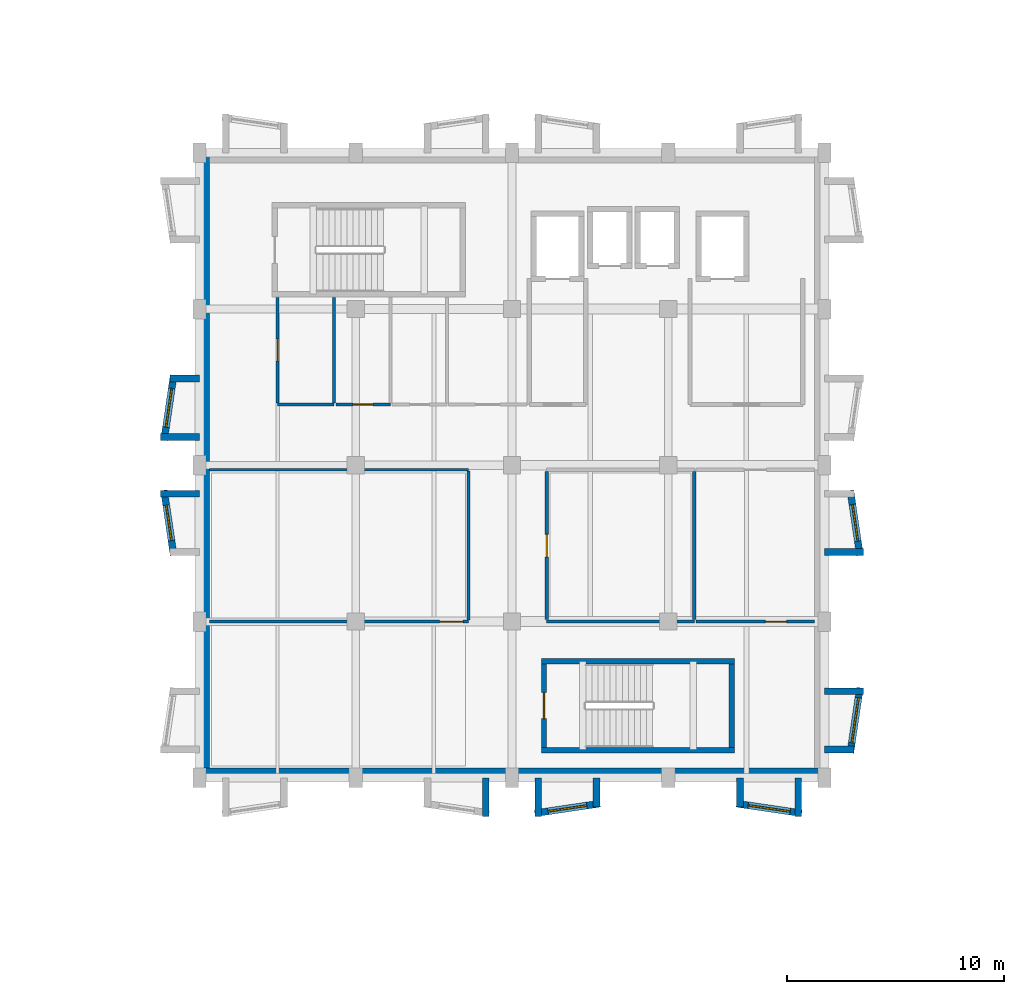
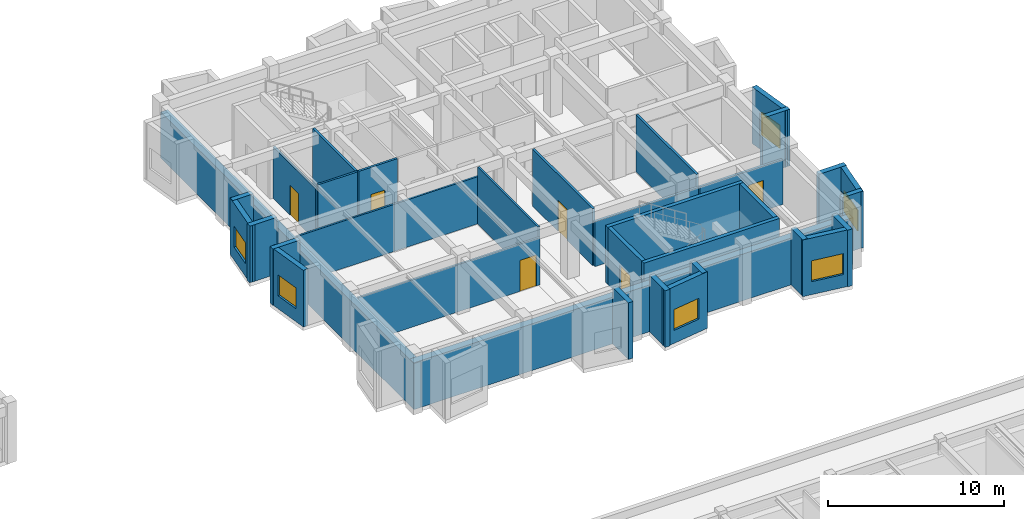
# One storey, part 55 of 67: 34 walls, 6 doors, 6 windows, 12 openings.
"""IFC4 building model written with IfcOpenShell, lengths in metres."""

from ifc_helpers import new_model, si_unit, direction, frame, frame_2d, origin, place, context, subcontext, project, spatial, rectangle, extrude, material, layer, layer_set, type_object, element, fill, save


model = new_model("IFC4")

# Units and contexts
model_context = context("Model", 3, precision=1e-05, world=origin(), true_north=direction((0.0, 1.0)))
body_context = subcontext(model_context, "Body", "Model", "MODEL_VIEW")
ifc_project = project(units=[si_unit("LENGTHUNIT", "METRE"), si_unit("AREAUNIT", "SQUARE_METRE"), si_unit("VOLUMEUNIT", "CUBIC_METRE"), si_unit("PLANEANGLEUNIT", "RADIAN"), si_unit("MASSUNIT", "GRAM", prefix="KILO")], contexts=[model_context])

# Site, building, storey
site_placement = place(None, origin())
site = spatial("IfcSite", under=ifc_project, at=site_placement, CompositionType="ELEMENT")
building_placement = place(site_placement, origin())
building = spatial("IfcBuilding", under=site, at=building_placement, Name="Bramveld Media Centre", CompositionType="ELEMENT")
storey_placement = place(building_placement, frame((0.0, 0.0, 5.39990234375)))
storey = spatial("IfcBuildingStorey", under=building, at=storey_placement, Name="L01", CompositionType="ELEMENT", Elevation=5.39990234375)

# Walls
ifc_material_1 = material(Name="Concrete C40/50 stair & lift core wall", Category="concrete")
ifc_layer_1 = layer(ifc_material_1, 0.25)
ifc_layer_set_1 = layer_set([ifc_layer_1], Name="Concrete C40/50 stair & lift core wall")
wall_type_1 = type_object("IfcWallType", Name="CWALL-SHEAR-250", PredefinedType="SHEAR", material=ifc_layer_set_1)
for number, where, z_axis, x_axis, name in (
    (1, (146.949951171875, 84.47509765625, 0.0), (0.0, 0.0, 1.0), (1.0, 0.0, 0.0), "ST-02 L01 stair core shear wall S"),
    (2, (155.85009765625, 88.574951171875, 0.0), (0.0, 0.0, 1.0), (-1.0, 0.0, 0.0), "ST-02 L01 stair core shear wall N"),
):
    element("IfcWall", number, at=place(storey_placement, frame(where, z_axis=z_axis, x_axis=x_axis)), inside=storey, type_object=wall_type_1, Name=name, PredefinedType="SHEAR", context=body_context, shape_type="SweptSolid", body=[
        extrude(rectangle(XDim=8.900146484375, YDim=0.25, at=frame_2d((4.4501953125, 0.0))), origin(), (0.0, 0.0, 1.0), 3.9501953125),
    ])

# Wall, opening, door
wall_1_placement = place(storey_placement, frame((147.074951171875, 88.449951171875, 0.0), z_axis=(0.0, 0.0, 1.0), x_axis=(0.0, -1.0, 0.0)))
wall_1 = element("IfcWall", 3, at=wall_1_placement, inside=storey, type_object=wall_type_1, Name="ST-02 L01 stair core shear wall W", PredefinedType="SHEAR", context=body_context, shape_type="SweptSolid", body=[
    extrude(rectangle(XDim=3.849853515625, YDim=0.25, at=frame_2d((1.9248046875, 0.0))), origin(), (0.0, 0.0, 1.0), 3.9501953125),
])
opening_1_placement = place(wall_1_placement, frame((1.324951171875, 0.0, 0.0)))
opening_1 = element("IfcOpeningElement", 4, at=opening_1_placement, cuts=wall_1, Name="Opening SD-02-L01", PredefinedType="OPENING", context=body_context, shape_type="SweptSolid", body=[
    extrude(rectangle(XDim=1.199951171875, YDim=2.14990234375, at=frame_2d((0.60009765625, 1.074951171875))), frame((0.0, 0.136962890625, 0.0), z_axis=(0.0, -1.0, 0.0), x_axis=(1.0, 0.0, 0.0)), (0.0, 0.0, 1.0), 0.27392578125),
])
ifc_material_2 = material(Name="Painted galvanized steel acoustic fire door with intumescent smoke seals", Category="steel")
door_type_1 = type_object("IfcDoorType", Name="DR-ST-1200", OperationType="NOTDEFINED", PredefinedType="DOOR", material=ifc_material_2)
door_1_placement = place(opening_1_placement, origin())
door_1 = element("IfcDoor", 5, at=door_1_placement, inside=storey, type_object=door_type_1, Name="ST-02 L01 pressurized stair fire door", OperationType="SINGLE_SWING_RIGHT", OverallHeight=2.14990234375, OverallWidth=1.199951171875, PredefinedType="DOOR", context=body_context, shape_type="SweptSolid", body=[
    extrude(rectangle(XDim=1.199951171875, YDim=2.14990234375, at=frame_2d((0.60009765625, 1.074951171875))), frame((0.0, 0.02490234375, 0.0), z_axis=(0.0, -1.0, 0.0), x_axis=(1.0, 0.0, 0.0)), (0.0, 0.0, 1.0), 0.050048828125),
])
fill(opening_1, door_1)

# Walls
wall_2_placement = place(storey_placement, frame((155.72509765625, 84.60009765625, 0.0), z_axis=(0.0, 0.0, 1.0), x_axis=(0.0, 1.0, 0.0)))
element("IfcWall", 6, at=wall_2_placement, inside=storey, type_object=wall_type_1, Name="ST-02 L01 stair core shear wall E", PredefinedType="SHEAR", context=body_context, shape_type="SweptSolid", body=[
    extrude(rectangle(XDim=3.849853515625, YDim=0.25, at=frame_2d((1.9248046875, 0.0))), origin(), (0.0, 0.0, 1.0), 3.9501953125),
])
ifc_material_3 = material(Name="Flemish red-brown clay facing brick cavity wall with concrete C35/45 inner leaf", Category="masonry")
ifc_layer_2 = layer(ifc_material_3, 0.4599609375)
ifc_layer_set_2 = layer_set([ifc_layer_2], Name="Flemish red-brown clay facing brick cavity wall with concrete C35/45 inner leaf")
wall_type_2 = type_object("IfcWallType", Name="EW-BRK-460", PredefinedType="SOLIDWALL", material=ifc_layer_set_2)
wall_3_placement = place(storey_placement, frame((160.0, 83.429931640625, 0.0), z_axis=(0.0, 0.0, 1.0), x_axis=(-1.0, 0.0, 0.0)))
element("IfcWall", 7, at=wall_3_placement, inside=storey, type_object=wall_type_2, Name="V7 L01 S facing brick exterior wall", PredefinedType="SOLIDWALL", context=body_context, shape_type="SweptSolid", body=[
    extrude(rectangle(XDim=28.800048828125, YDim=0.4599609375, at=frame_2d((14.39990234375, 0.0))), origin(), (0.0, 0.0, 1.0), 3.2451171875),
])
wall_4_placement = place(storey_placement, frame((131.429931640625, 83.199951171875, 0.0), z_axis=(0.0, 0.0, 1.0), x_axis=(0.0, 1.0, 0.0)))
element("IfcWall", 8, at=wall_4_placement, inside=storey, type_object=wall_type_2, Name="V7 L01 W facing brick exterior wall", PredefinedType="SOLIDWALL", context=body_context, shape_type="SweptSolid", body=[
    extrude(rectangle(XDim=28.800048828125, YDim=0.4599609375, at=frame_2d((14.39990234375, 0.0))), origin(), (0.0, 0.0, 1.0), 3.205078125),
])
ifc_material_4 = material(Name="Precast concrete C40/50 & brick-slip faceted bay cheek wall", Category="masonry")
ifc_layer_3 = layer(ifc_material_4, 0.320068359375)
ifc_layer_set_3 = layer_set([ifc_layer_3], Name="Precast concrete C40/50 & brick-slip faceted bay cheek wall")
wall_type_3 = type_object("IfcWallType", Name="EW-FACET-320", PredefinedType="SOLIDWALL", material=ifc_layer_set_3)
wall_5_placement = place(storey_placement, frame((144.389892578125, 83.199951171875, 0.0), z_axis=(0.0, 0.0, 1.0), x_axis=(0.0, -1.0, 0.0)))
element("IfcWall", 9, at=wall_5_placement, inside=storey, type_object=wall_type_3, Name="V7 L01 S faceted bay cheek wall", PredefinedType="SOLIDWALL", context=body_context, shape_type="SweptSolid", body=[
    extrude(rectangle(XDim=1.79296875, YDim=0.320068359375, at=frame_2d((0.896484375, 0.0))), origin(), (0.0, 0.0, 1.0), 3.93017578125),
])

# Wall, opening, window
wall_6_placement = place(storey_placement, frame((146.64990234375, 81.56689453125, 0.0), z_axis=(0.0, 0.0, 1.0), x_axis=(0.989266910268, 0.146119746268, 0.0)))
wall_6 = element("IfcWall", 10, at=wall_6_placement, inside=storey, type_object=wall_type_3, Name="V7 L01 S angled faceted bay front wall 3", PredefinedType="SOLIDWALL", context=body_context, shape_type="SweptSolid", body=[
    extrude(rectangle(XDim=3.032470703125, YDim=0.320068359375, at=frame_2d((1.51611328125, 0.0))), origin(), (0.0, 0.0, 1.0), 3.93017578125),
])
opening_2_placement = place(wall_6_placement, frame((0.6162109375, 0.0, 0.89990234375)))
opening_2 = element("IfcOpeningElement", 11, at=opening_2_placement, cuts=wall_6, Name="Opening W-26", PredefinedType="OPENING", context=body_context, shape_type="SweptSolid", body=[
    extrude(rectangle(XDim=1.800048828125, YDim=1.449951171875, at=frame_2d((0.89990234375, 0.72509765625))), frame((0.0, 0.171875, 0.0), z_axis=(0.0, -1.0, 0.0), x_axis=(1.0, 0.0, 0.0)), (0.0, 0.0, 1.0), 0.343994140625),
])
ifc_material_5 = material(Name="Thermally broken anodized bronze aluminium frame with triple acoustic glazing", Category="aluminium")
window_type_1 = type_object("IfcWindowType", Name="WIN-FAC-26", PartitioningType="SINGLE_PANEL", PredefinedType="WINDOW", material=ifc_material_5)
window_1_placement = place(opening_2_placement, origin())
window_1 = element("IfcWindow", 12, at=window_1_placement, inside=storey, type_object=window_type_1, Name="V7 L01 S faceted bay window 3", OverallHeight=1.449951171875, OverallWidth=1.800048828125, PartitioningType="SINGLE_PANEL", PredefinedType="WINDOW", context=body_context, shape_type="SweptSolid", body=[
    extrude(rectangle(XDim=1.800048828125, YDim=1.449951171875, at=frame_2d((0.89990234375, 0.72509765625))), frame((0.0, 0.030029296875, 0.0), z_axis=(0.0, -1.0, 0.0), x_axis=(1.0, 0.0, 0.0)), (0.0, 0.0, 1.0), 0.06005859375),
])
fill(opening_2, window_1)

# Walls
wall_7_placement = place(storey_placement, frame((146.81005859375, 83.199951171875, 0.0), z_axis=(0.0, 0.0, 1.0), x_axis=(0.0, -1.0, 0.0)))
element("IfcWall", 13, at=wall_7_placement, inside=storey, type_object=wall_type_3, Name="V7 L01 S faceted bay cheek wall", PredefinedType="SOLIDWALL", context=body_context, shape_type="SweptSolid", body=[
    extrude(rectangle(XDim=1.79296875, YDim=0.320068359375, at=frame_2d((0.896484375, 0.0))), origin(), (0.0, 0.0, 1.0), 3.93017578125),
])
wall_8_placement = place(storey_placement, frame((149.489990234375, 83.199951171875, 0.0), z_axis=(0.0, 0.0, 1.0), x_axis=(0.0, -1.0, 0.0)))
element("IfcWall", 14, at=wall_8_placement, inside=storey, type_object=wall_type_3, Name="V7 L01 S faceted bay cheek wall", PredefinedType="SOLIDWALL", context=body_context, shape_type="SweptSolid", body=[
    extrude(rectangle(XDim=1.349853515625, YDim=0.320068359375, at=frame_2d((0.6748046875, 0.0))), origin(), (0.0, 0.0, 1.0), 3.93017578125),
])

# Wall, opening, window
wall_9_placement = place(storey_placement, frame((155.949951171875, 82.010009765625, 0.0), z_axis=(0.0, 0.0, 1.0), x_axis=(0.989266910268, -0.146119746268, 0.0)))
wall_9 = element("IfcWall", 15, at=wall_9_placement, inside=storey, type_object=wall_type_3, Name="V7 L01 S angled faceted bay front wall 4", PredefinedType="SOLIDWALL", context=body_context, shape_type="SweptSolid", body=[
    extrude(rectangle(XDim=3.032470703125, YDim=0.320068359375, at=frame_2d((1.51611328125, 0.0))), origin(), (0.0, 0.0, 1.0), 3.93017578125),
])
opening_3_placement = place(wall_9_placement, frame((0.541259765625, 0.0, 0.89990234375)))
opening_3 = element("IfcOpeningElement", 16, at=opening_3_placement, cuts=wall_9, Name="Opening W-27", PredefinedType="OPENING", context=body_context, shape_type="SweptSolid", body=[
    extrude(rectangle(XDim=1.949951171875, YDim=1.449951171875, at=frame_2d((0.97509765625, 0.72509765625))), frame((0.0, 0.171875, 0.0), z_axis=(0.0, -1.0, 0.0), x_axis=(1.0, 0.0, 0.0)), (0.0, 0.0, 1.0), 0.343994140625),
])
ifc_material_6 = material(Name="Thermally broken anodized bronze aluminium frame with triple acoustic glazing", Category="aluminium")
window_type_2 = type_object("IfcWindowType", Name="WIN-FAC-27", PartitioningType="SINGLE_PANEL", PredefinedType="WINDOW", material=ifc_material_6)
window_2_placement = place(opening_3_placement, origin())
window_2 = element("IfcWindow", 17, at=window_2_placement, inside=storey, type_object=window_type_2, Name="V7 L01 S faceted bay window 4", OverallHeight=1.449951171875, OverallWidth=1.949951171875, PartitioningType="SINGLE_PANEL", PredefinedType="WINDOW", context=body_context, shape_type="SweptSolid", body=[
    extrude(rectangle(XDim=1.949951171875, YDim=1.449951171875, at=frame_2d((0.97509765625, 0.72509765625))), frame((0.0, 0.030029296875, 0.0), z_axis=(0.0, -1.0, 0.0), x_axis=(1.0, 0.0, 0.0)), (0.0, 0.0, 1.0), 0.06005859375),
])
fill(opening_3, window_2)

# Walls
wall_10_placement = place(storey_placement, frame((156.110107421875, 83.199951171875, 0.0), z_axis=(0.0, 0.0, 1.0), x_axis=(0.0, -1.0, 0.0)))
element("IfcWall", 18, at=wall_10_placement, inside=storey, type_object=wall_type_3, Name="V7 L01 S faceted bay cheek wall", PredefinedType="SOLIDWALL", context=body_context, shape_type="SweptSolid", body=[
    extrude(rectangle(XDim=1.349853515625, YDim=0.320068359375, at=frame_2d((0.6748046875, 0.0))), origin(), (0.0, 0.0, 1.0), 3.93017578125),
])
wall_11_placement = place(storey_placement, frame((158.7900390625, 83.199951171875, 0.0), z_axis=(0.0, 0.0, 1.0), x_axis=(0.0, -1.0, 0.0)))
element("IfcWall", 19, at=wall_11_placement, inside=storey, type_object=wall_type_3, Name="V7 L01 S faceted bay cheek wall", PredefinedType="SOLIDWALL", context=body_context, shape_type="SweptSolid", body=[
    extrude(rectangle(XDim=1.79296875, YDim=0.320068359375, at=frame_2d((0.896484375, 0.0))), origin(), (0.0, 0.0, 1.0), 3.93017578125),
])

# Wall, opening, window
wall_12_placement = place(storey_placement, frame((161.18994140625, 84.35009765625, 0.0), z_axis=(0.0, 0.0, 1.0), x_axis=(0.146119746268, 0.989266910268, 0.0)))
wall_12 = element("IfcWall", 20, at=wall_12_placement, inside=storey, type_object=wall_type_3, Name="V7 L01 E angled faceted bay front wall 1", PredefinedType="SOLIDWALL", context=body_context, shape_type="SweptSolid", body=[
    extrude(rectangle(XDim=3.032470703125, YDim=0.320068359375, at=frame_2d((1.51611328125, 0.0))), origin(), (0.0, 0.0, 1.0), 3.93017578125),
])
opening_4_placement = place(wall_12_placement, frame((0.46630859375, 0.0, 0.89990234375)))
opening_4 = element("IfcOpeningElement", 21, at=opening_4_placement, cuts=wall_12, Name="Opening W-28", PredefinedType="OPENING", context=body_context, shape_type="SweptSolid", body=[
    extrude(rectangle(XDim=2.10009765625, YDim=1.449951171875, at=frame_2d((1.050048828125, 0.72509765625))), frame((0.0, 0.171875, 0.0), z_axis=(0.0, -1.0, 0.0), x_axis=(1.0, 0.0, 0.0)), (0.0, 0.0, 1.0), 0.343994140625),
])
ifc_material_7 = material(Name="Thermally broken anodized bronze aluminium frame with triple acoustic glazing", Category="aluminium")
window_type_3 = type_object("IfcWindowType", Name="WIN-FAC-28", PartitioningType="SINGLE_PANEL", PredefinedType="WINDOW", material=ifc_material_7)
window_3_placement = place(opening_4_placement, origin())
window_3 = element("IfcWindow", 22, at=window_3_placement, inside=storey, type_object=window_type_3, Name="V7 L01 E faceted bay window 1", OverallHeight=1.449951171875, OverallWidth=2.10009765625, PartitioningType="SINGLE_PANEL", PredefinedType="WINDOW", context=body_context, shape_type="SweptSolid", body=[
    extrude(rectangle(XDim=2.10009765625, YDim=1.449951171875, at=frame_2d((1.050048828125, 0.72509765625))), frame((0.0, 0.030029296875, 0.0), z_axis=(0.0, -1.0, 0.0), x_axis=(1.0, 0.0, 0.0)), (0.0, 0.0, 1.0), 0.06005859375),
])
fill(opening_4, window_3)

# Walls
wall_13_placement = place(storey_placement, frame((160.0, 84.510009765625, 0.0), z_axis=(0.0, 0.0, 1.0), x_axis=(1.0, 0.0, 0.0)))
element("IfcWall", 23, at=wall_13_placement, inside=storey, type_object=wall_type_3, Name="V7 L01 E faceted bay cheek wall", PredefinedType="SOLIDWALL", context=body_context, shape_type="SweptSolid", body=[
    extrude(rectangle(XDim=1.35009765625, YDim=0.320068359375, at=frame_2d((0.675048828125, 0.0))), origin(), (0.0, 0.0, 1.0), 3.93017578125),
])
wall_14_placement = place(storey_placement, frame((160.0, 87.18994140625, 0.0), z_axis=(0.0, 0.0, 1.0), x_axis=(1.0, 0.0, 0.0)))
element("IfcWall", 24, at=wall_14_placement, inside=storey, type_object=wall_type_3, Name="V7 L01 E faceted bay cheek wall", PredefinedType="SOLIDWALL", context=body_context, shape_type="SweptSolid", body=[
    extrude(rectangle(XDim=1.79296875, YDim=0.320068359375, at=frame_2d((0.896484375, 0.0))), origin(), (0.0, 0.0, 1.0), 3.93017578125),
])

# Wall, opening, window
wall_15_placement = place(storey_placement, frame((161.633056640625, 93.449951171875, 0.0), z_axis=(0.0, 0.0, 1.0), x_axis=(-0.146119746268, 0.989266910268, 0.0)))
wall_15 = element("IfcWall", 25, at=wall_15_placement, inside=storey, type_object=wall_type_3, Name="V7 L01 E angled faceted bay front wall 2", PredefinedType="SOLIDWALL", context=body_context, shape_type="SweptSolid", body=[
    extrude(rectangle(XDim=3.032470703125, YDim=0.320068359375, at=frame_2d((1.51611328125, 0.0))), origin(), (0.0, 0.0, 1.0), 3.93017578125),
])
opening_5_placement = place(wall_15_placement, frame((0.666259765625, 0.0, 0.89990234375)))
opening_5 = element("IfcOpeningElement", 26, at=opening_5_placement, cuts=wall_15, Name="Opening W-29", PredefinedType="OPENING", context=body_context, shape_type="SweptSolid", body=[
    extrude(rectangle(XDim=1.699951171875, YDim=1.60009765625, at=frame_2d((0.85009765625, 0.800048828125))), frame((0.0, 0.171875, 0.0), z_axis=(0.0, -1.0, 0.0), x_axis=(1.0, 0.0, 0.0)), (0.0, 0.0, 1.0), 0.343994140625),
])
ifc_material_8 = material(Name="Thermally broken anodized bronze aluminium frame with triple acoustic glazing", Category="aluminium")
window_type_4 = type_object("IfcWindowType", Name="WIN-FAC-29", PartitioningType="SINGLE_PANEL", PredefinedType="WINDOW", material=ifc_material_8)
window_4_placement = place(opening_5_placement, origin())
window_4 = element("IfcWindow", 27, at=window_4_placement, inside=storey, type_object=window_type_4, Name="V7 L01 E faceted bay window 2", OverallHeight=1.60009765625, OverallWidth=1.699951171875, PartitioningType="SINGLE_PANEL", PredefinedType="WINDOW", context=body_context, shape_type="SweptSolid", body=[
    extrude(rectangle(XDim=1.699951171875, YDim=1.60009765625, at=frame_2d((0.85009765625, 0.800048828125))), frame((0.0, 0.030029296875, 0.0), z_axis=(0.0, -1.0, 0.0), x_axis=(1.0, 0.0, 0.0)), (0.0, 0.0, 1.0), 0.06005859375),
])
fill(opening_5, window_4)

# Wall
wall_16_placement = place(storey_placement, frame((160.0, 93.610107421875, 0.0), z_axis=(0.0, 0.0, 1.0), x_axis=(1.0, 0.0, 0.0)))
element("IfcWall", 28, at=wall_16_placement, inside=storey, type_object=wall_type_3, Name="V7 L01 E faceted bay cheek wall", PredefinedType="SOLIDWALL", context=body_context, shape_type="SweptSolid", body=[
    extrude(rectangle(XDim=1.79296875, YDim=0.320068359375, at=frame_2d((0.896484375, 0.0))), origin(), (0.0, 0.0, 1.0), 3.93017578125),
])

# Wall, opening, window
wall_17_placement = place(storey_placement, frame((129.56689453125, 96.449951171875, 0.0), z_axis=(0.0, 0.0, 1.0), x_axis=(0.146119746268, -0.989266910268, 0.0)))
wall_17 = element("IfcWall", 29, at=wall_17_placement, inside=storey, type_object=wall_type_3, Name="V7 L01 W angled faceted bay front wall 2", PredefinedType="SOLIDWALL", context=body_context, shape_type="SweptSolid", body=[
    extrude(rectangle(XDim=3.032470703125, YDim=0.320068359375, at=frame_2d((1.51611328125, 0.0))), origin(), (0.0, 0.0, 1.0), 3.93017578125),
])
opening_6_placement = place(wall_17_placement, frame((0.69140625, 0.0, 0.89990234375)))
opening_6 = element("IfcOpeningElement", 30, at=opening_6_placement, cuts=wall_17, Name="Opening W-25", PredefinedType="OPENING", context=body_context, shape_type="SweptSolid", body=[
    extrude(rectangle(XDim=1.64990234375, YDim=1.449951171875, at=frame_2d((0.824951171875, 0.72509765625))), frame((0.0, 0.171875, 0.0), z_axis=(0.0, -1.0, 0.0), x_axis=(1.0, 0.0, 0.0)), (0.0, 0.0, 1.0), 0.343994140625),
])
ifc_material_9 = material(Name="Thermally broken anodized bronze aluminium frame with triple acoustic glazing", Category="aluminium")
window_type_5 = type_object("IfcWindowType", Name="WIN-FAC-25", PartitioningType="SINGLE_PANEL", PredefinedType="WINDOW", material=ifc_material_9)
window_5_placement = place(opening_6_placement, origin())
window_5 = element("IfcWindow", 31, at=window_5_placement, inside=storey, type_object=window_type_5, Name="V7 L01 W faceted bay window 2", OverallHeight=1.449951171875, OverallWidth=1.64990234375, PartitioningType="SINGLE_PANEL", PredefinedType="WINDOW", context=body_context, shape_type="SweptSolid", body=[
    extrude(rectangle(XDim=1.64990234375, YDim=1.449951171875, at=frame_2d((0.824951171875, 0.72509765625))), frame((0.0, 0.030029296875, 0.0), z_axis=(0.0, -1.0, 0.0), x_axis=(1.0, 0.0, 0.0)), (0.0, 0.0, 1.0), 0.06005859375),
])
fill(opening_6, window_5)

# Wall
wall_18_placement = place(storey_placement, frame((131.199951171875, 96.2900390625, 0.0), z_axis=(0.0, 0.0, 1.0), x_axis=(-1.0, 0.0, 0.0)))
element("IfcWall", 32, at=wall_18_placement, inside=storey, type_object=wall_type_3, Name="V7 L01 W faceted bay cheek wall", PredefinedType="SOLIDWALL", context=body_context, shape_type="SweptSolid", body=[
    extrude(rectangle(XDim=1.79296875, YDim=0.320068359375, at=frame_2d((0.896484375, 0.0))), origin(), (0.0, 0.0, 1.0), 3.93017578125),
])

# Wall, opening, window
wall_19_placement = place(storey_placement, frame((130.010009765625, 101.75, 0.0), z_axis=(0.0, 0.0, 1.0), x_axis=(-0.146119746268, -0.989266910268, 0.0)))
wall_19 = element("IfcWall", 33, at=wall_19_placement, inside=storey, type_object=wall_type_3, Name="V7 L01 W angled faceted bay front wall 3", PredefinedType="SOLIDWALL", context=body_context, shape_type="SweptSolid", body=[
    extrude(rectangle(XDim=3.032470703125, YDim=0.320068359375, at=frame_2d((1.51611328125, 0.0))), origin(), (0.0, 0.0, 1.0), 3.93017578125),
])
opening_7_placement = place(wall_19_placement, frame((0.6162109375, 0.0, 0.89990234375)))
opening_7 = element("IfcOpeningElement", 34, at=opening_7_placement, cuts=wall_19, Name="Opening W-26", PredefinedType="OPENING", context=body_context, shape_type="SweptSolid", body=[
    extrude(rectangle(XDim=1.800048828125, YDim=1.449951171875, at=frame_2d((0.89990234375, 0.72509765625))), frame((0.0, 0.171875, 0.0), z_axis=(0.0, -1.0, 0.0), x_axis=(1.0, 0.0, 0.0)), (0.0, 0.0, 1.0), 0.343994140625),
])
window_6_placement = place(opening_7_placement, origin())
window_6 = element("IfcWindow", 35, at=window_6_placement, inside=storey, type_object=window_type_1, Name="V7 L01 W faceted bay window 3", OverallHeight=1.449951171875, OverallWidth=1.800048828125, PartitioningType="SINGLE_PANEL", PredefinedType="WINDOW", context=body_context, shape_type="SweptSolid", body=[
    extrude(rectangle(XDim=1.800048828125, YDim=1.449951171875, at=frame_2d((0.89990234375, 0.72509765625))), frame((0.0, 0.030029296875, 0.0), z_axis=(0.0, -1.0, 0.0), x_axis=(1.0, 0.0, 0.0)), (0.0, 0.0, 1.0), 0.06005859375),
])
fill(opening_7, window_6)

# Walls
wall_20_placement = place(storey_placement, frame((131.199951171875, 98.909912109375, 0.0), z_axis=(0.0, 0.0, 1.0), x_axis=(-1.0, 0.0, 0.0)))
element("IfcWall", 36, at=wall_20_placement, inside=storey, type_object=wall_type_3, Name="V7 L01 W faceted bay cheek wall", PredefinedType="SOLIDWALL", context=body_context, shape_type="SweptSolid", body=[
    extrude(rectangle(XDim=1.79296875, YDim=0.320068359375, at=frame_2d((0.896484375, 0.0))), origin(), (0.0, 0.0, 1.0), 3.93017578125),
])
wall_21_placement = place(storey_placement, frame((131.199951171875, 101.590087890625, 0.0), z_axis=(0.0, 0.0, 1.0), x_axis=(-1.0, 0.0, 0.0)))
element("IfcWall", 37, at=wall_21_placement, inside=storey, type_object=wall_type_3, Name="V7 L01 W faceted bay cheek wall", PredefinedType="SOLIDWALL", context=body_context, shape_type="SweptSolid", body=[
    extrude(rectangle(XDim=1.349853515625, YDim=0.320068359375, at=frame_2d((0.6748046875, 0.0))), origin(), (0.0, 0.0, 1.0), 3.93017578125),
])

# Wall, opening, door
ifc_material_10 = material(Name="Lightweight acoustic stud partition", Category="gypsum")
ifc_layer_4 = layer(ifc_material_10, 0.125)
ifc_layer_set_4 = layer_set([ifc_layer_4], Name="Lightweight acoustic stud partition")
wall_type_4 = type_object("IfcWallType", Name="IW-PART-125", PredefinedType="PARTITIONING", material=ifc_layer_set_4)
wall_22_placement = place(storey_placement, frame((131.669921875, 90.39990234375, 0.0), z_axis=(0.0, 0.0, 1.0), x_axis=(1.0, 0.0, 0.0)))
wall_22 = element("IfcWall", 38, at=wall_22_placement, inside=storey, type_object=wall_type_4, Name="Newsroom & Investigative Media Desk partition wall", PredefinedType="PARTITIONING", context=body_context, shape_type="SweptSolid", body=[
    extrude(rectangle(XDim=11.93017578125, YDim=0.125, at=frame_2d((5.965087890625, 0.0))), origin(), (0.0, 0.0, 1.0), 3.275146484375),
])
opening_8_placement = place(wall_22_placement, frame((10.60009765625, 0.0, 0.0)))
opening_8 = element("IfcOpeningElement", 39, at=opening_8_placement, cuts=wall_22, Name="Opening D-01-092", PredefinedType="OPENING", context=body_context, shape_type="SweptSolid", body=[
    extrude(rectangle(XDim=1.080078125, YDim=2.14990234375, at=frame_2d((0.5400390625, 1.074951171875))), frame((0.0, 0.074462890625, 0.0), z_axis=(0.0, -1.0, 0.0), x_axis=(1.0, 0.0, 0.0)), (0.0, 0.0, 1.0), 0.14892578125),
])
ifc_material_11 = material(Name="Solid-core European oak acoustic timber leaf in steel frame", Category="steel")
door_type_2 = type_object("IfcDoorType", Name="DR-RM-1080", OperationType="NOTDEFINED", PredefinedType="DOOR", material=ifc_material_11)
door_2_placement = place(opening_8_placement, origin())
door_2 = element("IfcDoor", 40, at=door_2_placement, inside=storey, type_object=door_type_2, Name="Newsroom & Investigative Media Desk entrance door", OperationType="SINGLE_SWING_LEFT", OverallHeight=2.14990234375, OverallWidth=1.080078125, PredefinedType="DOOR", context=body_context, shape_type="SweptSolid", body=[
    extrude(rectangle(XDim=1.080078125, YDim=2.14990234375, at=frame_2d((0.5400390625, 1.074951171875))), frame((0.0, 0.02490234375, 0.0), z_axis=(0.0, -1.0, 0.0), x_axis=(1.0, 0.0, 0.0)), (0.0, 0.0, 1.0), 0.050048828125),
])
fill(opening_8, door_2)

# Walls
wall_23_placement = place(storey_placement, frame((131.669921875, 97.39990234375, 0.0), z_axis=(0.0, 0.0, 1.0), x_axis=(1.0, 0.0, 0.0)))
element("IfcWall", 41, at=wall_23_placement, inside=storey, type_object=wall_type_4, Name="Newsroom & Investigative Media Desk partition wall", PredefinedType="PARTITIONING", context=body_context, shape_type="SweptSolid", body=[
    extrude(rectangle(XDim=11.93017578125, YDim=0.125, at=frame_2d((5.965087890625, 0.0))), origin(), (0.0, 0.0, 1.0), 3.275146484375),
])
wall_24_placement = place(storey_placement, frame((143.60009765625, 90.472412109375, 0.0), z_axis=(0.0, 0.0, 1.0), x_axis=(0.0, 1.0, 0.0)))
element("IfcWall", 42, at=wall_24_placement, inside=storey, type_object=wall_type_4, Name="Newsroom & Investigative Media Desk partition wall", PredefinedType="PARTITIONING", context=body_context, shape_type="SweptSolid", body=[
    extrude(rectangle(XDim=6.85498046875, YDim=0.125, at=frame_2d((3.427490234375, 0.0))), origin(), (0.0, 0.0, 1.0), 3.9501953125),
])
ifc_material_12 = material(Name="Insulated metal-stud gypsum room partition", Category="gypsum")
ifc_layer_5 = layer(ifc_material_12, 0.14990234375)
ifc_layer_set_5 = layer_set([ifc_layer_5], Name="Insulated metal-stud gypsum room partition")
wall_type_5 = type_object("IfcWallType", Name="IW-PART-150", PredefinedType="PARTITIONING", material=ifc_layer_set_5)
wall_25_placement = place(storey_placement, frame((147.199951171875, 90.39990234375, 0.0), z_axis=(0.0, 0.0, 1.0), x_axis=(1.0, 0.0, 0.0)))
element("IfcWall", 43, at=wall_25_placement, inside=storey, type_object=wall_type_5, Name="Radio Broadcast Studio A partition wall", PredefinedType="PARTITIONING", context=body_context, shape_type="SweptSolid", body=[
    extrude(rectangle(XDim=6.800048828125, YDim=0.14990234375, at=frame_2d((3.39990234375, 0.0))), origin(), (0.0, 0.0, 1.0), 3.125),
])

# Wall, opening, door
wall_26_placement = place(storey_placement, frame((147.199951171875, 90.485107421875, 0.0), z_axis=(0.0, 0.0, 1.0), x_axis=(0.0, 1.0, 0.0)))
wall_26 = element("IfcWall", 44, at=wall_26_placement, inside=storey, type_object=wall_type_5, Name="Radio Broadcast Studio A partition wall", PredefinedType="PARTITIONING", context=body_context, shape_type="SweptSolid", body=[
    extrude(rectangle(XDim=6.829833984375, YDim=0.14990234375, at=frame_2d((3.4150390625, 0.0))), origin(), (0.0, 0.0, 1.0), 3.9501953125),
])
opening_9_placement = place(wall_26_placement, frame((2.89501953125, 0.0, 0.0)))
opening_9 = element("IfcOpeningElement", 45, at=opening_9_placement, cuts=wall_26, Name="Opening D-01-093", PredefinedType="OPENING", context=body_context, shape_type="SweptSolid", body=[
    extrude(rectangle(XDim=1.0400390625, YDim=2.14990234375, at=frame_2d((0.52001953125, 1.074951171875))), frame((0.0, 0.0869140625, 0.0), z_axis=(0.0, -1.0, 0.0), x_axis=(1.0, 0.0, 0.0)), (0.0, 0.0, 1.0), 0.173828125),
])
ifc_material_13 = material(Name="Solid-core European oak acoustic timber leaf in steel frame", Category="steel")
door_type_3 = type_object("IfcDoorType", Name="DR-RM-1040", OperationType="NOTDEFINED", PredefinedType="DOOR", material=ifc_material_13)
door_3_placement = place(opening_9_placement, origin())
door_3 = element("IfcDoor", 46, at=door_3_placement, inside=storey, type_object=door_type_3, Name="Radio Broadcast Studio A entrance door", OperationType="SINGLE_SWING_RIGHT", OverallHeight=2.14990234375, OverallWidth=1.0400390625, PredefinedType="DOOR", context=body_context, shape_type="SweptSolid", body=[
    extrude(rectangle(XDim=1.0400390625, YDim=2.14990234375, at=frame_2d((0.52001953125, 1.074951171875))), frame((0.0, 0.02490234375, 0.0), z_axis=(0.0, -1.0, 0.0), x_axis=(1.0, 0.0, 0.0)), (0.0, 0.0, 1.0), 0.050048828125),
])
fill(opening_9, door_3)

# Wall
wall_27_placement = place(storey_placement, frame((154.0, 90.485107421875, 0.0), z_axis=(0.0, 0.0, 1.0), x_axis=(0.0, 1.0, 0.0)))
element("IfcWall", 47, at=wall_27_placement, inside=storey, type_object=wall_type_5, Name="Radio Broadcast Studio A partition wall", PredefinedType="PARTITIONING", context=body_context, shape_type="SweptSolid", body=[
    extrude(rectangle(XDim=6.829833984375, YDim=0.14990234375, at=frame_2d((3.4150390625, 0.0))), origin(), (0.0, 0.0, 1.0), 3.9501953125),
])

# Wall, opening, door
wall_28_placement = place(storey_placement, frame((154.0849609375, 90.39990234375, 0.0), z_axis=(0.0, 0.0, 1.0), x_axis=(1.0, 0.0, 0.0)))
wall_28 = element("IfcWall", 48, at=wall_28_placement, inside=storey, type_object=wall_type_5, Name="Radio Control & Talkback Booth partition wall", PredefinedType="PARTITIONING", context=body_context, shape_type="SweptSolid", body=[
    extrude(rectangle(XDim=5.445068359375, YDim=0.14990234375, at=frame_2d((2.72265625, 0.0))), origin(), (0.0, 0.0, 1.0), 3.125),
])
opening_10_placement = place(wall_28_placement, frame((3.18994140625, 0.0, 0.0)))
opening_10 = element("IfcOpeningElement", 49, at=opening_10_placement, cuts=wall_28, Name="Opening D-01-095", PredefinedType="OPENING", context=body_context, shape_type="SweptSolid", body=[
    extrude(rectangle(XDim=0.97998046875, YDim=2.1201171875, at=frame_2d((0.489990234375, 1.06005859375))), frame((0.0, 0.0869140625, 0.0), z_axis=(0.0, -1.0, 0.0), x_axis=(1.0, 0.0, 0.0)), (0.0, 0.0, 1.0), 0.173828125),
])
ifc_material_14 = material(Name="Solid-core European oak acoustic timber leaf in steel frame", Category="steel")
door_type_4 = type_object("IfcDoorType", Name="DR-RM-0980", OperationType="NOTDEFINED", PredefinedType="DOOR", material=ifc_material_14)
door_4_placement = place(opening_10_placement, origin())
door_4 = element("IfcDoor", 50, at=door_4_placement, inside=storey, type_object=door_type_4, Name="Podcast Recording Studio B entrance door", OperationType="SINGLE_SWING_RIGHT", OverallHeight=2.1201171875, OverallWidth=0.97998046875, PredefinedType="DOOR", context=body_context, shape_type="SweptSolid", body=[
    extrude(rectangle(XDim=0.97998046875, YDim=2.1201171875, at=frame_2d((0.489990234375, 1.06005859375))), frame((0.0, 0.02490234375, 0.0), z_axis=(0.0, -1.0, 0.0), x_axis=(1.0, 0.0, 0.0)), (0.0, 0.0, 1.0), 0.050048828125),
])
fill(opening_10, door_4)

# Wall
ifc_material_15 = material(Name="Moisture-resistant cement-board sanitary partition", Category="gypsum")
ifc_layer_6 = layer(ifc_material_15, 0.139892578125)
ifc_layer_set_6 = layer_set([ifc_layer_6], Name="Moisture-resistant cement-board sanitary partition")
wall_type_6 = type_object("IfcWallType", Name="IW-WET-140", PredefinedType="PARTITIONING", material=ifc_layer_set_6)
wall_29_placement = place(storey_placement, frame((134.800048828125, 100.39990234375, 0.0), z_axis=(0.0, 0.0, 1.0), x_axis=(1.0, 0.0, 0.0)))
element("IfcWall", 51, at=wall_29_placement, inside=storey, type_object=wall_type_6, Name="Accessible WC partition wall", PredefinedType="PARTITIONING", context=body_context, shape_type="SweptSolid", body=[
    extrude(rectangle(XDim=2.599853515625, YDim=0.139892578125, at=frame_2d((1.2998046875, 0.0))), origin(), (0.0, 0.0, 1.0), 3.9501953125),
])

# Wall, opening, door
wall_30_placement = place(storey_placement, frame((134.800048828125, 100.47998046875, 0.0), z_axis=(0.0, 0.0, 1.0), x_axis=(0.0, 1.0, 0.0)))
wall_30 = element("IfcWall", 52, at=wall_30_placement, inside=storey, type_object=wall_type_6, Name="Accessible WC partition wall", PredefinedType="PARTITIONING", context=body_context, shape_type="SweptSolid", body=[
    extrude(rectangle(XDim=4.860107421875, YDim=0.139892578125, at=frame_2d((2.43017578125, 0.0))), origin(), (0.0, 0.0, 1.0), 3.59521484375),
])
opening_11_placement = place(wall_30_placement, frame((1.929931640625, 0.0, 0.0)))
opening_11 = element("IfcOpeningElement", 53, at=opening_11_placement, cuts=wall_30, Name="Opening D-01-088", PredefinedType="OPENING", context=body_context, shape_type="SweptSolid", body=[
    extrude(rectangle(XDim=1.0, YDim=2.10009765625, at=frame_2d((0.5, 1.050048828125))), frame((0.0, 0.08203125, 0.0), z_axis=(0.0, -1.0, 0.0), x_axis=(1.0, 0.0, 0.0)), (0.0, 0.0, 1.0), 0.163818359375),
])
ifc_material_16 = material(Name="Solid-core European oak acoustic timber leaf in steel frame", Category="steel")
door_type_5 = type_object("IfcDoorType", Name="DR-WC-PMR-1000", OperationType="NOTDEFINED", PredefinedType="DOOR", material=ifc_material_16)
door_5_placement = place(opening_11_placement, origin())
door_5 = element("IfcDoor", 54, at=door_5_placement, inside=storey, type_object=door_type_5, Name="Accessible WC entrance door", OperationType="SINGLE_SWING_LEFT", OverallHeight=2.10009765625, OverallWidth=1.0, PredefinedType="DOOR", context=body_context, shape_type="SweptSolid", body=[
    extrude(rectangle(XDim=1.0, YDim=2.10009765625, at=frame_2d((0.5, 1.050048828125))), frame((0.0, 0.02490234375, 0.0), z_axis=(0.0, -1.0, 0.0), x_axis=(1.0, 0.0, 0.0)), (0.0, 0.0, 1.0), 0.050048828125),
])
fill(opening_11, door_5)

# Wall
wall_31_placement = place(storey_placement, frame((137.39990234375, 100.47998046875, 0.0), z_axis=(0.0, 0.0, 1.0), x_axis=(0.0, 1.0, 0.0)))
element("IfcWall", 55, at=wall_31_placement, inside=storey, type_object=wall_type_6, Name="Accessible WC partition wall", PredefinedType="PARTITIONING", context=body_context, shape_type="SweptSolid", body=[
    extrude(rectangle(XDim=4.860107421875, YDim=0.139892578125, at=frame_2d((2.43017578125, 0.0))), origin(), (0.0, 0.0, 1.0), 3.9501953125),
])

# Wall, opening, door
wall_32_placement = place(storey_placement, frame((137.47998046875, 100.39990234375, 0.0), z_axis=(0.0, 0.0, 1.0), x_axis=(1.0, 0.0, 0.0)))
wall_32 = element("IfcWall", 56, at=wall_32_placement, inside=storey, type_object=wall_type_6, Name="Male WC partition wall", PredefinedType="PARTITIONING", context=body_context, shape_type="SweptSolid", body=[
    extrude(rectangle(XDim=2.52001953125, YDim=0.139892578125, at=frame_2d((1.260009765625, 0.0))), origin(), (0.0, 0.0, 1.0), 3.9501953125),
])
opening_12_placement = place(wall_32_placement, frame((0.804931640625, 0.0, 0.0)))
opening_12 = element("IfcOpeningElement", 57, at=opening_12_placement, cuts=wall_32, Name="Opening D-01-089", PredefinedType="OPENING", context=body_context, shape_type="SweptSolid", body=[
    extrude(rectangle(XDim=0.909912109375, YDim=2.06005859375, at=frame_2d((0.455078125, 1.030029296875))), frame((0.0, 0.08203125, 0.0), z_axis=(0.0, -1.0, 0.0), x_axis=(1.0, 0.0, 0.0)), (0.0, 0.0, 1.0), 0.163818359375),
])
ifc_material_17 = material(Name="Solid-core European oak acoustic timber leaf in steel frame", Category="steel")
door_type_6 = type_object("IfcDoorType", Name="DR-WC-0910", OperationType="NOTDEFINED", PredefinedType="DOOR", material=ifc_material_17)
door_6_placement = place(opening_12_placement, origin())
door_6 = element("IfcDoor", 58, at=door_6_placement, inside=storey, type_object=door_type_6, Name="Male WC entrance door", OperationType="SINGLE_SWING_RIGHT", OverallHeight=2.06005859375, OverallWidth=0.909912109375, PredefinedType="DOOR", context=body_context, shape_type="SweptSolid", body=[
    extrude(rectangle(XDim=0.909912109375, YDim=2.06005859375, at=frame_2d((0.455078125, 1.030029296875))), frame((0.0, 0.02490234375, 0.0), z_axis=(0.0, -1.0, 0.0), x_axis=(1.0, 0.0, 0.0)), (0.0, 0.0, 1.0), 0.050048828125),
])
fill(opening_12, door_6)

save(model, "model.ifc")
